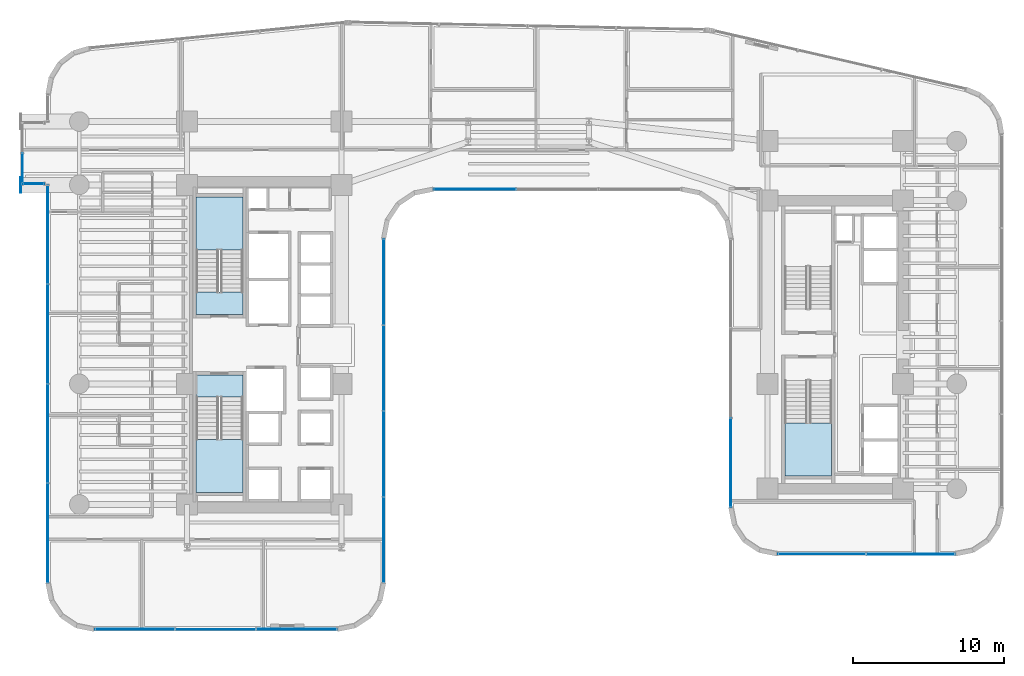
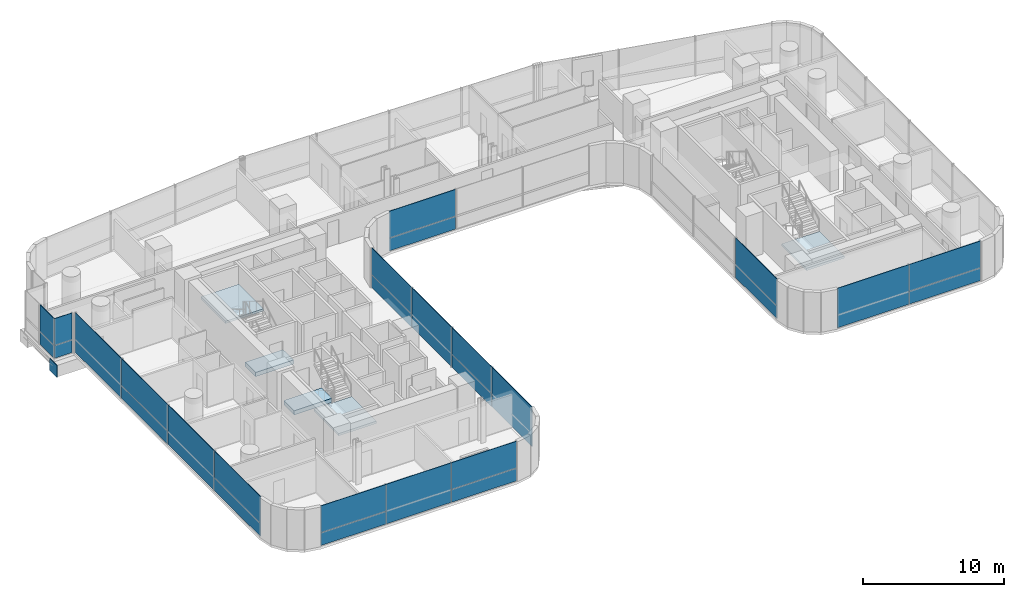
# One storey, part 29 of 41: 29 plates, 5 slabs, 11 elements without a shape of their own.
"""IFC4 building model written with IfcOpenShell, lengths in metres."""

import ifcopenshell
import ifcopenshell.guid

model = None  # the IFC model being written
_history = None  # IfcOwnerHistory: only IFC2X3 demands one
_inside = {}  # id of a spatial element -> (the spatial element, [elements in it])
_under = {}  # id of a project, library or spatial element -> (it, [spatial elements below it])
_declared = {}  # id of a project -> (the project, [libraries it declares])
_typed = {}  # id of a type object -> (the type object, [elements of that type])
_made_of = {}  # id of a material, layer set ... -> (it, [elements and type objects made of it])


def new_model(schema):
    """Start an empty IFC model of exactly this schema.

    Asked for "IFC4X3", IfcOpenShell would pick the latest addendum, in which some entities
    have other attributes; the version numbers below select the first issue.
    IFC2X3 requires an IfcOwnerHistory on every rooted entity: one is made here for all.
    """
    global model, _history
    if schema == "IFC4X3":
        model = ifcopenshell.file(schema_version=(4, 3, 0, 0))
    else:
        model = ifcopenshell.file(schema=schema)
    _inside.clear()
    _under.clear()
    _declared.clear()
    _typed.clear()
    _made_of.clear()
    _history = None
    if model.schema == "IFC2X3":
        org = make("IfcOrganization", Name="unknown")
        user = make(
            "IfcPersonAndOrganization",
            ThePerson=make("IfcPerson", FamilyName="unknown"),
            TheOrganization=org,
        )
        app = make(
            "IfcApplication",
            ApplicationDeveloper=org,
            Version="unknown",
            ApplicationFullName="unknown",
            ApplicationIdentifier="unknown",
        )
        _history = make(
            "IfcOwnerHistory",
            OwningUser=user,
            OwningApplication=app,
            ChangeAction="ADDED",
            CreationDate=0,
        )
    return model


def make(cls, **values):
    """One entity of the class cls with the attributes given. An attribute that is None is left unset."""
    return model.create_entity(
        cls, **{name: value for name, value in values.items() if value is not None}
    )


def rooted(cls, **values):
    """An entity with a GlobalId (a new one), such as an element, a storey or a relation."""
    return make(cls, GlobalId=ifcopenshell.guid.new(), OwnerHistory=_history, **values)


def si_unit(unit_type, name, prefix=None):
    """IfcSIUnit, for example si_unit("LENGTHUNIT", "METRE", prefix="MILLI")."""
    return make("IfcSIUnit", UnitType=unit_type, Prefix=prefix, Name=name)


def assignment(units):
    """IfcUnitAssignment: the units of a project."""
    return None if units is None else make("IfcUnitAssignment", Units=units)


def point(xyz):
    """IfcCartesianPoint."""
    return None if xyz is None else make("IfcCartesianPoint", Coordinates=xyz)


def direction(xyz):
    """IfcDirection."""
    return None if xyz is None else make("IfcDirection", DirectionRatios=xyz)


def frame(location, z_axis=None, x_axis=None):
    """IfcAxis2Placement3D, a coordinate frame: its origin and axes. An axis left out is left unset."""
    return make(
        "IfcAxis2Placement3D",
        Location=point(location),
        Axis=direction(z_axis),
        RefDirection=direction(x_axis),
    )


def frame_2d(location, x_axis=None):
    """IfcAxis2Placement2D, a coordinate frame in the plane: its origin and x axis."""
    return make(
        "IfcAxis2Placement2D", Location=point(location), RefDirection=direction(x_axis)
    )


def origin():
    """The frame at (0, 0, 0) with its axes left unset."""
    return frame((0.0, 0.0, 0.0))


def origin_2d():
    """The frame at (0, 0) in the plane with its x axis left unset."""
    return frame_2d((0.0, 0.0))


def place(relative_to, where):
    """IfcLocalPlacement: puts the frame where relative to a parent placement (None: the world)."""
    return make(
        "IfcLocalPlacement", PlacementRelTo=relative_to, RelativePlacement=where
    )


def context(
    kind, dimensions, precision=None, world=None, true_north=None, identifier=None
):
    """IfcGeometricRepresentationContext, for example the 3D "Model" context."""
    return make(
        "IfcGeometricRepresentationContext",
        ContextIdentifier=identifier,
        ContextType=kind,
        CoordinateSpaceDimension=dimensions,
        Precision=precision,
        WorldCoordinateSystem=world,
        TrueNorth=true_north,
    )


def subcontext(parent, identifier, kind, view, scale=None):
    """IfcGeometricRepresentationSubContext, for example "Body" below "Model"."""
    return make(
        "IfcGeometricRepresentationSubContext",
        ContextIdentifier=identifier,
        ContextType=kind,
        ParentContext=parent,
        TargetScale=scale,
        TargetView=view,
    )


def project(units=None, contexts=None):
    """IfcProject with its units and contexts."""
    return rooted(
        "IfcProject",
        Name="project",
        RepresentationContexts=contexts,
        UnitsInContext=assignment(units),
    )


def spatial(cls, under=None, at=None, **own):
    """A site, building, storey or space (cls), placed at a placement, below another one or the project."""
    s = rooted(cls, ObjectPlacement=at, **own)
    if under is not None:
        _under.setdefault(under.id(), (under, []))[1].append(s)
    return s


def polyline(points):
    """IfcPolyline through the points."""
    return make("IfcPolyline", Points=[point(p) for p in points])


def profile(cls, at=None, kind="AREA", **sizes):
    """A parametric profile (cls). Its sizes go by their IFC names, for example OverallWidth=200.0."""
    return make(cls, ProfileType=kind, Position=at, **sizes)


def rectangle(**sizes):
    """IfcRectangleProfileDef."""
    return profile("IfcRectangleProfileDef", **sizes)


def outline(outer, holes=None, kind="AREA"):
    """IfcArbitraryClosedProfileDef: a profile drawn as a closed curve; with holes, ...WithVoids."""
    if holes is None:
        return make("IfcArbitraryClosedProfileDef", ProfileType=kind, OuterCurve=outer)
    return make(
        "IfcArbitraryProfileDefWithVoids",
        ProfileType=kind,
        OuterCurve=outer,
        InnerCurves=holes,
    )


def extrude(swept, where, along, depth):
    """IfcExtrudedAreaSolid: the profile swept, set in the frame where, extruded along a direction by depth."""
    return make(
        "IfcExtrudedAreaSolid",
        SweptArea=swept,
        Position=where,
        ExtrudedDirection=direction(along),
        Depth=depth,
    )


def shape(context_of_items, identifier, shape_type, items):
    """IfcShapeRepresentation: the items that make up one representation, for example the "Body"."""
    return make(
        "IfcShapeRepresentation",
        ContextOfItems=context_of_items,
        RepresentationIdentifier=identifier,
        RepresentationType=shape_type,
        Items=items,
    )


def source(mapping_origin, context_of_items, identifier, shape_type, items):
    """IfcRepresentationMap: a shape defined once, which mapped items show again and again."""
    return make(
        "IfcRepresentationMap",
        MappingOrigin=mapping_origin,
        MappedRepresentation=shape(context_of_items, identifier, shape_type, items),
    )


def transform(
    local_origin,
    x_axis=None,
    y_axis=None,
    z_axis=None,
    scale=None,
    scale2=None,
    scale3=None,
    uniform=True,
):
    """IfcCartesianTransformationOperator3D, or its non-uniform kind. x_axis, y_axis, z_axis: its Axis1, 2, 3."""
    if uniform:
        return make(
            "IfcCartesianTransformationOperator3D",
            Axis1=direction(x_axis),
            Axis2=direction(y_axis),
            LocalOrigin=point(local_origin),
            Scale=scale,
            Axis3=direction(z_axis),
        )
    return make(
        "IfcCartesianTransformationOperator3DnonUniform",
        Axis1=direction(x_axis),
        Axis2=direction(y_axis),
        LocalOrigin=point(local_origin),
        Scale=scale,
        Axis3=direction(z_axis),
        Scale2=scale2,
        Scale3=scale3,
    )


def mapped(mapping_source, mapping_target):
    """IfcMappedItem: shows the shape of a source again, moved by a transform."""
    return make(
        "IfcMappedItem", MappingSource=mapping_source, MappingTarget=mapping_target
    )


def material(Name=None, Category=None):
    """IfcMaterial."""
    return make("IfcMaterial", Name=Name, Category=Category)


def layer(
    of_material, thickness, ventilated=None, Name=None, Category=None, Priority=None
):
    """IfcMaterialLayer: one layer of a wall or slab, of a material (None: an air gap)."""
    return make(
        "IfcMaterialLayer",
        Material=of_material,
        LayerThickness=thickness,
        IsVentilated=ventilated,
        Name=Name,
        Category=Category,
        Priority=Priority,
    )


def layer_set(layers, Name=None):
    """IfcMaterialLayerSet."""
    return make("IfcMaterialLayerSet", MaterialLayers=layers, LayerSetName=Name)


def made_of(thing, what):
    """Note that an element or type object is made of a material, layer set ...; save() writes the relation."""
    if what is not None:
        _made_of.setdefault(what.id(), (what, []))[1].append(thing)
    return thing


def type_object(cls, material=None, **own):
    """A type object (cls), such as IfcWallType, which elements share."""
    return made_of(rooted(cls, **own), material)


def element(
    cls,
    number,
    at=None,
    inside=None,
    cuts=None,
    type_object=None,
    material=None,
    context=None,
    identifier="Body",
    shape_type=None,
    held_by="IfcProductDefinitionShape",
    body=None,
    shapes=None,
    **own,
):
    """One element of the class cls, such as IfcWall. Its Tag is "e" and its number.

    at: its placement. inside: the storey or other place that contains it. cuts: it is an
    opening in that element (IfcRelVoidsElement). A single representation is given by context,
    identifier, shape_type and body (its items); several are given by shapes. held_by: the class
    of the entity that holds the representations. save() writes the other relations.
    """
    e = rooted(cls, Tag="e%d" % number, ObjectPlacement=at, **own)
    if body is not None:
        shapes = [shape(context, identifier, shape_type, body)]
    if shapes is not None:
        e.Representation = make(held_by, Representations=shapes)
    if inside is not None:
        _inside.setdefault(inside.id(), (inside, []))[1].append(e)
    if cuts is not None:
        rooted(
            "IfcRelVoidsElement", RelatingBuildingElement=cuts, RelatedOpeningElement=e
        )
    if type_object is not None:
        _typed.setdefault(type_object.id(), (type_object, []))[1].append(e)
    return made_of(e, material)


def aggregate(whole, parts):
    """IfcRelAggregates: a whole, such as a stair, and the parts it consists of."""
    return rooted("IfcRelAggregates", RelatingObject=whole, RelatedObjects=parts)


def save(model, path):
    """Write the relations noted so far, then the file.

    IfcRelAggregates (storeys below a building ...), IfcRelContainedInSpatialStructure (elements
    in a storey), IfcRelDefinesByType, IfcRelAssociatesMaterial and IfcRelDeclares: one each for
    every whole, place, type object, material and project.
    """
    for whole, parts in _under.values():
        aggregate(whole, parts)
    for where, things in _inside.values():
        rooted(
            "IfcRelContainedInSpatialStructure",
            RelatedElements=things,
            RelatingStructure=where,
        )
    for kind, things in _typed.values():
        rooted("IfcRelDefinesByType", RelatedObjects=things, RelatingType=kind)
    for what, things in _made_of.values():
        rooted("IfcRelAssociatesMaterial", RelatedObjects=things, RelatingMaterial=what)
    for by, libraries in _declared.values():
        rooted("IfcRelDeclares", RelatingContext=by, RelatedDefinitions=libraries)
    model.write(path)


model = new_model("IFC4")

# Units and contexts
model_context = context("Model", 3, precision=1e-05, world=origin(), true_north=direction((0.0, 1.0)))
body_context = subcontext(model_context, "Body", "Model", "MODEL_VIEW")
ifc_project = project(units=[si_unit("LENGTHUNIT", "METRE"), si_unit("AREAUNIT", "SQUARE_METRE"), si_unit("VOLUMEUNIT", "CUBIC_METRE"), si_unit("PLANEANGLEUNIT", "RADIAN"), si_unit("MASSUNIT", "GRAM", prefix="KILO")], contexts=[model_context])

# Site, building, storey
site_placement = place(None, origin())
site = spatial("IfcSite", under=ifc_project, at=site_placement, CompositionType="ELEMENT")
building_placement = place(site_placement, origin())
building = spatial("IfcBuilding", under=site, at=building_placement, Name="Valdorenza Pilgrim Sanctuary Tower", CompositionType="ELEMENT")
storey_placement = place(building_placement, frame((0.0, 0.0, 88.89990234375)))
storey = spatial("IfcBuildingStorey", under=building, at=storey_placement, Name="L22", CompositionType="ELEMENT", Elevation=88.89990234375)

# Stair, slab
ifc_material_1 = material(Name="Concrete C40/50", Category="concrete")
stair_type = type_object("IfcStairType", Name="STR-DOG-CORE", PredefinedType="HALF_TURN_STAIR", material=ifc_material_1)
stair_1_placement = place(storey_placement, origin())
stair_1 = element("IfcStair", 1, at=stair_1_placement, inside=storey, type_object=stair_type, Name="L22 ST-A1", PredefinedType="HALF_TURN_STAIR")
ifc_layer_1 = layer(ifc_material_1, 0.199951171875, Name="Concrete C40/50")
ifc_layer_set_1 = layer_set([ifc_layer_1], Name="Concrete C40/50")
slab_type_1 = type_object("IfcSlabType", Name="SLAB-STL-200", PredefinedType="LANDING", material=ifc_layer_set_1)
slab_1_placement = place(storey_placement, frame((0.0, 0.0, 1.650146484375)))
slab_1 = element("IfcSlab", 2, at=slab_1_placement, type_object=slab_type_1, Name="ST-A1 landing 1", PredefinedType="LANDING", context=body_context, shape_type="SweptSolid", body=[
    extrude(outline(polyline([(-18.93994140625, 6.280029296875), (-18.93994140625, 9.800048828125), (-22.050048828125, 9.800048828125), (-22.050048828125, 6.280029296875), (-18.93994140625, 6.280029296875)])), origin(), (0.0, 0.0, 1.0), 0.199951171875),
])
aggregate(stair_1, [slab_1])

stair_2_placement = place(storey_placement, origin())
stair_2 = element("IfcStair", 3, at=stair_2_placement, inside=storey, type_object=stair_type, Name="L22 ST-A2", PredefinedType="HALF_TURN_STAIR")
slab_2_placement = place(storey_placement, frame((0.0, 0.0, 1.650146484375)))
slab_2 = element("IfcSlab", 4, at=slab_2_placement, type_object=slab_type_1, Name="ST-A2 landing 1", PredefinedType="LANDING", context=body_context, shape_type="SweptSolid", body=[
    extrude(outline(polyline([(-22.050048828125, -6.280029296875), (-22.050048828125, -9.800048828125), (-18.93994140625, -9.800048828125), (-18.93994140625, -6.280029296875), (-22.050048828125, -6.280029296875)])), origin(), (0.0, 0.0, 1.0), 0.199951171875),
])
aggregate(stair_2, [slab_2])

stair_3_placement = place(storey_placement, origin())
stair_3 = element("IfcStair", 5, at=stair_3_placement, inside=storey, type_object=stair_type, Name="L22 ST-B2", PredefinedType="HALF_TURN_STAIR")
slab_3_placement = place(storey_placement, frame((0.0, 0.0, 1.650146484375)))
slab_3 = element("IfcSlab", 6, at=slab_3_placement, type_object=slab_type_1, Name="ST-B2 landing 1", PredefinedType="LANDING", context=body_context, shape_type="SweptSolid", body=[
    extrude(outline(polyline([(17.0, -5.179931640625), (17.0, -8.699951171875), (20.110107421875, -8.699951171875), (20.110107421875, -5.179931640625), (17.0, -5.179931640625)])), origin(), (0.0, 0.0, 1.0), 0.199951171875),
])
aggregate(stair_3, [slab_3])

# Slabs
ifc_material_2 = material(Name="Concrete C50/60", Category="concrete")
ifc_layer_2 = layer(ifc_material_2, 0.39990234375, Name="Concrete C50/60")
ifc_layer_set_2 = layer_set([ifc_layer_2], Name="Concrete C50/60")
slab_type_2 = type_object("IfcSlabType", Name="SLAB-TRF-400", PredefinedType="FLOOR", material=ifc_layer_set_2)
slab_4_placement = place(storey_placement, frame((0.0, 0.0, -0.35986328125)))
element("IfcSlab", 7, at=slab_4_placement, inside=storey, type_object=slab_type_2, Name="L22 ST-A1 Structural Stair Landing Bearing Slab", PredefinedType="FLOOR", context=body_context, shape_type="SweptSolid", body=[
    extrude(outline(polyline([(-22.050048828125, 2.0), (-18.93994140625, 2.0), (-18.93994140625, 3.485107421875), (-22.050048828125, 3.485107421875), (-22.050048828125, 2.0)])), origin(), (0.0, 0.0, 1.0), 0.35986328125),
])
slab_5_placement = place(storey_placement, frame((0.0, 0.0, -0.35986328125)))
element("IfcSlab", 8, at=slab_5_placement, inside=storey, type_object=slab_type_2, Name="L22 ST-A2 Structural Stair Landing Bearing Slab", PredefinedType="FLOOR", context=body_context, shape_type="SweptSolid", body=[
    extrude(outline(polyline([(-22.050048828125, -3.485107421875), (-18.93994140625, -3.485107421875), (-18.93994140625, -2.0), (-22.050048828125, -2.0), (-22.050048828125, -3.485107421875)])), origin(), (0.0, 0.0, 1.0), 0.35986328125),
])

# Plate
ifc_material_3 = material(Name="Steel ASTM A572 Grade 42", Category="steel")
ifc_layer_3 = layer(ifc_material_3, 0.06005859375, Name="Steel ASTM A572 Grade 42")
ifc_layer_set_3 = layer_set([ifc_layer_3], Name="Steel ASTM A572 Grade 42")
plate_type_1 = type_object("IfcPlateType", Name="PLT-CAP-60", PredefinedType="SHEET", material=ifc_layer_set_3)
shared_shape_1 = source(origin(), body_context, "Body", "SweptSolid", [
    extrude(rectangle(XDim=0.06005859375, YDim=1.0400390625, at=origin_2d()), origin(), (0.0, 0.0, 1.0), 1.0400390625),
])
plate_1_placement = place(storey_placement, frame((-33.679931640625, 10.60009765625, -1.260009765625), z_axis=(0.0, 0.0, 1.0), x_axis=(1.0, 0.0, 0.0)))
element("IfcPlate", 9, at=plate_1_placement, inside=storey, type_object=plate_type_1, Name="L22 BOX-WA-L22 Cantilever Tip End Cap S", PredefinedType="SHEET", context=body_context, shape_type="MappedRepresentation", body=[
    mapped(shared_shape_1, transform((0.0, 0.0, 0.0), x_axis=(1.0, 0.0, 0.0), y_axis=(0.0, 1.0, 0.0), z_axis=(0.0, 0.0, 1.0), scale=1.0)),
])

# Curtain wall, plates
ifc_material_4 = material(Name="Curtain-wall IGU glazing", Category="glass")
curtain_wall_type_1 = type_object("IfcCurtainWallType", Name="CW-SYS-03", PredefinedType="NOTDEFINED", material=ifc_material_4)
curtain_wall_1_placement = place(storey_placement, origin())
curtain_wall_1 = element("IfcCurtainWall", 10, at=curtain_wall_1_placement, inside=storey, type_object=curtain_wall_type_1, Name="L22 Curtain Wall CW-L22-1-26", PredefinedType="NOTDEFINED")
ifc_material_5 = material(Name="Honed travertine limestone", Category="masonry")
ifc_layer_4 = layer(ifc_material_5, 0.050048828125, Name="Honed travertine limestone")
ifc_layer_set_4 = layer_set([ifc_layer_4], Name="Honed travertine limestone")
plate_type_2 = type_object("IfcPlateType", Name="CW-SPN-TRV", PredefinedType="USERDEFINED", material=ifc_layer_set_4)
shared_shape_2 = source(origin(), body_context, "Body", "SweptSolid", [
    extrude(rectangle(XDim=5.869140625, YDim=0.06005859375, at=origin_2d()), origin(), (0.0, 0.0, 1.0), 1.10009765625),
])
plate_2_placement = place(storey_placement, frame((25.344482421875, -13.889892578125, 0.010009765625), z_axis=(0.0, 0.0, 1.0), x_axis=(-1.0, 0.0, 0.0)))
plate_2 = element("IfcPlate", 11, at=plate_2_placement, type_object=plate_type_2, Name="CW-L22-1-26 Travertine Spandrel 1", ObjectType="SPANDREL", PredefinedType="USERDEFINED", context=body_context, shape_type="MappedRepresentation", body=[
    mapped(shared_shape_2, transform((0.0, 0.0, 0.0), x_axis=(1.0, 0.0, 0.0), y_axis=(0.0, 1.0, 0.0), z_axis=(0.0, 0.0, 1.0), scale=1.0)),
])
ifc_material_6 = material(Name="Ceramic-fritted low-E IGU glazing", Category="glass")
ifc_layer_5 = layer(ifc_material_6, 0.035888671875, Name="Ceramic-fritted low-E IGU glazing")
ifc_layer_set_5 = layer_set([ifc_layer_5], Name="Ceramic-fritted low-E IGU glazing")
plate_type_3 = type_object("IfcPlateType", Name="CW-GLZ-IGU", PredefinedType="USERDEFINED", material=ifc_layer_set_5)
shared_shape_3 = source(origin(), body_context, "Body", "SweptSolid", [
    extrude(rectangle(XDim=5.869140625, YDim=0.050048828125, at=origin_2d()), origin(), (0.0, 0.0, 1.0), 2.320068359375),
])
plate_3_placement = place(storey_placement, frame((25.344482421875, -13.889892578125, 1.1298828125), z_axis=(0.0, 0.0, 1.0), x_axis=(-1.0, 0.0, 0.0)))
plate_3 = element("IfcPlate", 12, at=plate_3_placement, type_object=plate_type_3, Name="CW-L22-1-26 Facade Panel 1", ObjectType="GLAZING", PredefinedType="USERDEFINED", context=body_context, shape_type="MappedRepresentation", body=[
    mapped(shared_shape_3, transform((0.0, 0.0, 0.0), x_axis=(1.0, 0.0, 0.0), y_axis=(0.0, 1.0, 0.0), z_axis=(0.0, 0.0, 1.0), scale=1.0)),
])
shared_shape_4 = source(origin(), body_context, "Body", "SweptSolid", [
    extrude(rectangle(XDim=5.869140625, YDim=0.050048828125, at=origin_2d()), origin(), (0.0, 0.0, 1.0), 3.43994140625),
])
plate_4_placement = place(storey_placement, frame((19.455322265625, -13.889892578125, 0.010009765625), z_axis=(0.0, 0.0, 1.0), x_axis=(-1.0, 0.0, 0.0)))
plate_4 = element("IfcPlate", 13, at=plate_4_placement, type_object=plate_type_3, Name="CW-L22-1-26 Full-Height Facade Panel 2", ObjectType="GLAZING", PredefinedType="USERDEFINED", context=body_context, shape_type="MappedRepresentation", body=[
    mapped(shared_shape_4, transform((0.0, 0.0, 0.0), x_axis=(1.0, 0.0, 0.0), y_axis=(0.0, 1.0, 0.0), z_axis=(0.0, 0.0, 1.0), scale=1.0)),
])
aggregate(curtain_wall_1, [plate_2, plate_3, plate_4])

curtain_wall_2_placement = place(storey_placement, origin())
curtain_wall_2 = element("IfcCurtainWall", 14, at=curtain_wall_2_placement, inside=storey, type_object=curtain_wall_type_1, Name="L22 Curtain Wall CW-L22-1-31", PredefinedType="NOTDEFINED")
shared_shape_5 = source(origin(), body_context, "Body", "SweptSolid", [
    extrude(rectangle(XDim=5.913330078125, YDim=0.06005859375, at=origin_2d()), origin(), (0.0, 0.0, 1.0), 1.10009765625),
])
plate_5_placement = place(storey_placement, frame((13.409912109375, -7.822509765625, 0.010009765625), z_axis=(0.0, 0.0, 1.0), x_axis=(0.0, 1.0, 0.0)))
plate_5 = element("IfcPlate", 15, at=plate_5_placement, type_object=plate_type_2, Name="CW-L22-1-31 Travertine Spandrel 1", ObjectType="SPANDREL", PredefinedType="USERDEFINED", context=body_context, shape_type="MappedRepresentation", body=[
    mapped(shared_shape_5, transform((0.0, 0.0, 0.0), x_axis=(1.0, 0.0, 0.0), y_axis=(0.0, 1.0, 0.0), z_axis=(0.0, 0.0, 1.0), scale=1.0)),
])
shared_shape_6 = source(origin(), body_context, "Body", "SweptSolid", [
    extrude(rectangle(XDim=5.913330078125, YDim=0.050048828125, at=origin_2d()), origin(), (0.0, 0.0, 1.0), 2.320068359375),
])
plate_6_placement = place(storey_placement, frame((13.409912109375, -7.822509765625, 1.1298828125), z_axis=(0.0, 0.0, 1.0), x_axis=(0.0, 1.0, 0.0)))
plate_6 = element("IfcPlate", 16, at=plate_6_placement, type_object=plate_type_3, Name="CW-L22-1-31 Facade Panel 1", ObjectType="GLAZING", PredefinedType="USERDEFINED", context=body_context, shape_type="MappedRepresentation", body=[
    mapped(shared_shape_6, transform((0.0, 0.0, 0.0), x_axis=(1.0, 0.0, 0.0), y_axis=(0.0, 1.0, 0.0), z_axis=(0.0, 0.0, 1.0), scale=1.0)),
])
aggregate(curtain_wall_2, [plate_5, plate_6])

curtain_wall_type_2 = type_object("IfcCurtainWallType", Name="CW-SYS-02", PredefinedType="NOTDEFINED", material=ifc_material_4)
curtain_wall_3_placement = place(storey_placement, origin())
curtain_wall_3 = element("IfcCurtainWall", 17, at=curtain_wall_3_placement, inside=storey, type_object=curtain_wall_type_2, Name="L22 Curtain Wall CW-L22-1-36", PredefinedType="NOTDEFINED")
shared_shape_7 = source(origin(), body_context, "Body", "SweptSolid", [
    extrude(rectangle(XDim=5.453857421875, YDim=0.06005859375, at=origin_2d()), origin(), (0.0, 0.0, 1.0), 1.10009765625),
])
plate_7_placement = place(storey_placement, frame((-3.573974609375, 10.31005859375, 0.010009765625), z_axis=(0.0, 0.0, 1.0), x_axis=(-1.0, 0.0, 0.0)))
plate_7 = element("IfcPlate", 18, at=plate_7_placement, type_object=plate_type_2, Name="CW-L22-1-36 Travertine Spandrel 3", ObjectType="SPANDREL", PredefinedType="USERDEFINED", context=body_context, shape_type="MappedRepresentation", body=[
    mapped(shared_shape_7, transform((0.0, 0.0, 0.0), x_axis=(1.0, 0.0, 0.0), y_axis=(0.0, 1.0, 0.0), z_axis=(0.0, 0.0, 1.0), scale=1.0)),
])
shared_shape_8 = source(origin(), body_context, "Body", "SweptSolid", [
    extrude(rectangle(XDim=5.453857421875, YDim=0.050048828125, at=origin_2d()), origin(), (0.0, 0.0, 1.0), 2.320068359375),
])
plate_8_placement = place(storey_placement, frame((-3.573974609375, 10.31005859375, 1.1298828125), z_axis=(0.0, 0.0, 1.0), x_axis=(-1.0, 0.0, 0.0)))
plate_8 = element("IfcPlate", 19, at=plate_8_placement, type_object=plate_type_3, Name="CW-L22-1-36 Facade Panel 3", ObjectType="GLAZING", PredefinedType="USERDEFINED", context=body_context, shape_type="MappedRepresentation", body=[
    mapped(shared_shape_8, transform((0.0, 0.0, 0.0), x_axis=(1.0, 0.0, 0.0), y_axis=(0.0, 1.0, 0.0), z_axis=(0.0, 0.0, 1.0), scale=1.0)),
])
aggregate(curtain_wall_3, [plate_7, plate_8])

curtain_wall_4_placement = place(storey_placement, origin())
curtain_wall_4 = element("IfcCurtainWall", 20, at=curtain_wall_4_placement, inside=storey, type_object=curtain_wall_type_2, Name="L22 Curtain Wall CW-L22-1-41", PredefinedType="NOTDEFINED")
shared_shape_9 = source(origin(), body_context, "Body", "SweptSolid", [
    extrude(rectangle(XDim=5.679931640625, YDim=0.06005859375, at=origin_2d()), origin(), (0.0, 0.0, 1.0), 1.10009765625),
])
plate_9_placement = place(storey_placement, frame((-9.610107421875, 4.160888671875, 0.010009765625), z_axis=(0.0, 0.0, 1.0), x_axis=(0.0, -1.0, 0.0)))
plate_9 = element("IfcPlate", 21, at=plate_9_placement, type_object=plate_type_2, Name="CW-L22-1-41 Travertine Spandrel 1", ObjectType="SPANDREL", PredefinedType="USERDEFINED", context=body_context, shape_type="MappedRepresentation", body=[
    mapped(shared_shape_9, transform((0.0, 0.0, 0.0), x_axis=(1.0, 0.0, 0.0), y_axis=(0.0, 1.0, 0.0), z_axis=(0.0, 0.0, 1.0), scale=1.0)),
])
plate_10_placement = place(storey_placement, frame((-9.610107421875, -7.2392578125, 0.010009765625), z_axis=(0.0, 0.0, 1.0), x_axis=(0.0, -1.0, 0.0)))
plate_10 = element("IfcPlate", 22, at=plate_10_placement, type_object=plate_type_2, Name="CW-L22-1-41 Travertine Spandrel 3", ObjectType="SPANDREL", PredefinedType="USERDEFINED", context=body_context, shape_type="MappedRepresentation", body=[
    mapped(shared_shape_9, transform((0.0, 0.0, 0.0), x_axis=(1.0, 0.0, 0.0), y_axis=(0.0, 1.0, 0.0), z_axis=(0.0, 0.0, 1.0), scale=1.0)),
])
shared_shape_10 = source(origin(), body_context, "Body", "SweptSolid", [
    extrude(rectangle(XDim=5.679931640625, YDim=0.050048828125, at=origin_2d()), origin(), (0.0, 0.0, 1.0), 2.320068359375),
])
plate_11_placement = place(storey_placement, frame((-9.610107421875, 4.160888671875, 1.1298828125), z_axis=(0.0, 0.0, 1.0), x_axis=(0.0, -1.0, 0.0)))
plate_11 = element("IfcPlate", 23, at=plate_11_placement, type_object=plate_type_3, Name="CW-L22-1-41 Facade Panel 1", ObjectType="GLAZING", PredefinedType="USERDEFINED", context=body_context, shape_type="MappedRepresentation", body=[
    mapped(shared_shape_10, transform((0.0, 0.0, 0.0), x_axis=(1.0, 0.0, 0.0), y_axis=(0.0, 1.0, 0.0), z_axis=(0.0, 0.0, 1.0), scale=1.0)),
])
plate_12_placement = place(storey_placement, frame((-9.610107421875, -7.2392578125, 1.1298828125), z_axis=(0.0, 0.0, 1.0), x_axis=(0.0, -1.0, 0.0)))
plate_12 = element("IfcPlate", 24, at=plate_12_placement, type_object=plate_type_3, Name="CW-L22-1-41 Facade Panel 3", ObjectType="GLAZING", PredefinedType="USERDEFINED", context=body_context, shape_type="MappedRepresentation", body=[
    mapped(shared_shape_10, transform((0.0, 0.0, 0.0), x_axis=(1.0, 0.0, 0.0), y_axis=(0.0, 1.0, 0.0), z_axis=(0.0, 0.0, 1.0), scale=1.0)),
])
shared_shape_11 = source(origin(), body_context, "Body", "SweptSolid", [
    extrude(rectangle(XDim=5.679931640625, YDim=0.050048828125, at=origin_2d()), origin(), (0.0, 0.0, 1.0), 3.43994140625),
])
plate_13_placement = place(storey_placement, frame((-9.610107421875, -1.539306640625, 0.010009765625), z_axis=(0.0, 0.0, 1.0), x_axis=(0.0, -1.0, 0.0)))
plate_13 = element("IfcPlate", 25, at=plate_13_placement, type_object=plate_type_3, Name="CW-L22-1-41 Full-Height Facade Panel 2", ObjectType="GLAZING", PredefinedType="USERDEFINED", context=body_context, shape_type="MappedRepresentation", body=[
    mapped(shared_shape_11, transform((0.0, 0.0, 0.0), x_axis=(1.0, 0.0, 0.0), y_axis=(0.0, 1.0, 0.0), z_axis=(0.0, 0.0, 1.0), scale=1.0)),
])
plate_14_placement = place(storey_placement, frame((-9.610107421875, -12.939208984375, 0.010009765625), z_axis=(0.0, 0.0, 1.0), x_axis=(0.0, -1.0, 0.0)))
plate_14 = element("IfcPlate", 26, at=plate_14_placement, type_object=plate_type_3, Name="CW-L22-1-41 Full-Height Facade Panel 4", ObjectType="GLAZING", PredefinedType="USERDEFINED", context=body_context, shape_type="MappedRepresentation", body=[
    mapped(shared_shape_11, transform((0.0, 0.0, 0.0), x_axis=(1.0, 0.0, 0.0), y_axis=(0.0, 1.0, 0.0), z_axis=(0.0, 0.0, 1.0), scale=1.0)),
])
aggregate(curtain_wall_4, [plate_9, plate_11, plate_13, plate_10, plate_12, plate_14])

curtain_wall_5_placement = place(storey_placement, origin())
curtain_wall_5 = element("IfcCurtainWall", 27, at=curtain_wall_5_placement, inside=storey, type_object=curtain_wall_type_2, Name="L22 Curtain Wall CW-L22-1-46", PredefinedType="NOTDEFINED")
shared_shape_12 = source(origin(), body_context, "Body", "SweptSolid", [
    extrude(rectangle(XDim=5.339599609375, YDim=0.06005859375, at=origin_2d()), origin(), (0.0, 0.0, 1.0), 1.10009765625),
])
plate_15_placement = place(storey_placement, frame((-15.390380859375, -18.889892578125, 0.010009765625), z_axis=(0.0, 0.0, 1.0), x_axis=(-1.0, 0.0, 0.0)))
plate_15 = element("IfcPlate", 28, at=plate_15_placement, type_object=plate_type_2, Name="CW-L22-1-46 Travertine Spandrel 1", ObjectType="SPANDREL", PredefinedType="USERDEFINED", context=body_context, shape_type="MappedRepresentation", body=[
    mapped(shared_shape_12, transform((0.0, 0.0, 0.0), x_axis=(1.0, 0.0, 0.0), y_axis=(0.0, 1.0, 0.0), z_axis=(0.0, 0.0, 1.0), scale=1.0)),
])
plate_16_placement = place(storey_placement, frame((-26.109619140625, -18.889892578125, 0.010009765625), z_axis=(0.0, 0.0, 1.0), x_axis=(-1.0, 0.0, 0.0)))
plate_16 = element("IfcPlate", 29, at=plate_16_placement, type_object=plate_type_2, Name="CW-L22-1-46 Travertine Spandrel 3", ObjectType="SPANDREL", PredefinedType="USERDEFINED", context=body_context, shape_type="MappedRepresentation", body=[
    mapped(shared_shape_12, transform((0.0, 0.0, 0.0), x_axis=(1.0, 0.0, 0.0), y_axis=(0.0, 1.0, 0.0), z_axis=(0.0, 0.0, 1.0), scale=1.0)),
])
shared_shape_13 = source(origin(), body_context, "Body", "SweptSolid", [
    extrude(rectangle(XDim=5.339599609375, YDim=0.050048828125, at=origin_2d()), origin(), (0.0, 0.0, 1.0), 2.320068359375),
])
plate_17_placement = place(storey_placement, frame((-15.390380859375, -18.889892578125, 1.1298828125), z_axis=(0.0, 0.0, 1.0), x_axis=(-1.0, 0.0, 0.0)))
plate_17 = element("IfcPlate", 30, at=plate_17_placement, type_object=plate_type_3, Name="CW-L22-1-46 Facade Panel 1", ObjectType="GLAZING", PredefinedType="USERDEFINED", context=body_context, shape_type="MappedRepresentation", body=[
    mapped(shared_shape_13, transform((0.0, 0.0, 0.0), x_axis=(1.0, 0.0, 0.0), y_axis=(0.0, 1.0, 0.0), z_axis=(0.0, 0.0, 1.0), scale=1.0)),
])
plate_18_placement = place(storey_placement, frame((-26.109619140625, -18.889892578125, 1.1298828125), z_axis=(0.0, 0.0, 1.0), x_axis=(-1.0, 0.0, 0.0)))
plate_18 = element("IfcPlate", 31, at=plate_18_placement, type_object=plate_type_3, Name="CW-L22-1-46 Facade Panel 3", ObjectType="GLAZING", PredefinedType="USERDEFINED", context=body_context, shape_type="MappedRepresentation", body=[
    mapped(shared_shape_13, transform((0.0, 0.0, 0.0), x_axis=(1.0, 0.0, 0.0), y_axis=(0.0, 1.0, 0.0), z_axis=(0.0, 0.0, 1.0), scale=1.0)),
])
shared_shape_14 = source(origin(), body_context, "Body", "SweptSolid", [
    extrude(rectangle(XDim=5.339599609375, YDim=0.050048828125, at=origin_2d()), origin(), (0.0, 0.0, 1.0), 3.43994140625),
])
plate_19_placement = place(storey_placement, frame((-20.75, -18.889892578125, 0.010009765625), z_axis=(0.0, 0.0, 1.0), x_axis=(-1.0, 0.0, 0.0)))
plate_19 = element("IfcPlate", 32, at=plate_19_placement, type_object=plate_type_3, Name="CW-L22-1-46 Full-Height Facade Panel 2", ObjectType="GLAZING", PredefinedType="USERDEFINED", context=body_context, shape_type="MappedRepresentation", body=[
    mapped(shared_shape_14, transform((0.0, 0.0, 0.0), x_axis=(1.0, 0.0, 0.0), y_axis=(0.0, 1.0, 0.0), z_axis=(0.0, 0.0, 1.0), scale=1.0)),
])
aggregate(curtain_wall_5, [plate_15, plate_17, plate_19, plate_16, plate_18])

curtain_wall_6_placement = place(storey_placement, origin())
curtain_wall_6 = element("IfcCurtainWall", 33, at=curtain_wall_6_placement, inside=storey, type_object=curtain_wall_type_2, Name="L22 Curtain Wall CW-L22-BOX-WA-L22-S", PredefinedType="NOTDEFINED")
shared_shape_15 = source(origin(), body_context, "Body", "SweptSolid", [
    extrude(rectangle(XDim=1.43994140625, YDim=0.06005859375, at=origin_2d()), origin(), (0.0, 0.0, 1.0), 1.10009765625),
])
plate_20_placement = place(storey_placement, frame((-32.840087890625, 10.679931640625, 0.010009765625), z_axis=(0.0, 0.0, 1.0), x_axis=(-1.0, 0.0, 0.0)))
plate_20 = element("IfcPlate", 34, at=plate_20_placement, type_object=plate_type_2, Name="CW-L22-BOX-WA-L22-S Travertine Spandrel 1", ObjectType="SPANDREL", PredefinedType="USERDEFINED", context=body_context, shape_type="MappedRepresentation", body=[
    mapped(shared_shape_15, transform((0.0, 0.0, 0.0), x_axis=(1.0, 0.0, 0.0), y_axis=(0.0, 1.0, 0.0), z_axis=(0.0, 0.0, 1.0), scale=1.0)),
])
shared_shape_16 = source(origin(), body_context, "Body", "SweptSolid", [
    extrude(rectangle(XDim=1.43994140625, YDim=0.050048828125, at=origin_2d()), origin(), (0.0, 0.0, 1.0), 2.320068359375),
])
plate_21_placement = place(storey_placement, frame((-32.840087890625, 10.679931640625, 1.1298828125), z_axis=(0.0, 0.0, 1.0), x_axis=(-1.0, 0.0, 0.0)))
plate_21 = element("IfcPlate", 35, at=plate_21_placement, type_object=plate_type_3, Name="CW-L22-BOX-WA-L22-S Facade Panel 1", ObjectType="GLAZING", PredefinedType="USERDEFINED", context=body_context, shape_type="MappedRepresentation", body=[
    mapped(shared_shape_16, transform((0.0, 0.0, 0.0), x_axis=(1.0, 0.0, 0.0), y_axis=(0.0, 1.0, 0.0), z_axis=(0.0, 0.0, 1.0), scale=1.0)),
])
aggregate(curtain_wall_6, [plate_20, plate_21])

curtain_wall_7_placement = place(storey_placement, origin())
curtain_wall_7 = element("IfcCurtainWall", 36, at=curtain_wall_7_placement, inside=storey, type_object=curtain_wall_type_2, Name="L22 Curtain Wall CW-L22-1-1S1", PredefinedType="NOTDEFINED")
shared_shape_17 = source(origin(), body_context, "Body", "SweptSolid", [
    extrude(rectangle(XDim=6.577392578125, YDim=0.06005859375, at=origin_2d()), origin(), (0.0, 0.0, 1.0), 1.10009765625),
])
plate_22_placement = place(storey_placement, frame((-31.889892578125, -12.490478515625, 0.010009765625), z_axis=(0.0, 0.0, 1.0), x_axis=(0.0, 1.0, 0.0)))
plate_22 = element("IfcPlate", 37, at=plate_22_placement, type_object=plate_type_2, Name="CW-L22-1-1S1 Travertine Spandrel 1", ObjectType="SPANDREL", PredefinedType="USERDEFINED", context=body_context, shape_type="MappedRepresentation", body=[
    mapped(shared_shape_17, transform((0.0, 0.0, 0.0), x_axis=(1.0, 0.0, 0.0), y_axis=(0.0, 1.0, 0.0), z_axis=(0.0, 0.0, 1.0), scale=1.0)),
])
plate_23_placement = place(storey_placement, frame((-31.889892578125, 0.7041015625, 0.010009765625), z_axis=(0.0, 0.0, 1.0), x_axis=(0.0, 1.0, 0.0)))
plate_23 = element("IfcPlate", 38, at=plate_23_placement, type_object=plate_type_2, Name="CW-L22-1-1S1 Travertine Spandrel 3", ObjectType="SPANDREL", PredefinedType="USERDEFINED", context=body_context, shape_type="MappedRepresentation", body=[
    mapped(shared_shape_17, transform((0.0, 0.0, 0.0), x_axis=(1.0, 0.0, 0.0), y_axis=(0.0, 1.0, 0.0), z_axis=(0.0, 0.0, 1.0), scale=1.0)),
])
shared_shape_18 = source(origin(), body_context, "Body", "SweptSolid", [
    extrude(rectangle(XDim=6.577392578125, YDim=0.050048828125, at=origin_2d()), origin(), (0.0, 0.0, 1.0), 2.320068359375),
])
plate_24_placement = place(storey_placement, frame((-31.889892578125, -12.490478515625, 1.1298828125), z_axis=(0.0, 0.0, 1.0), x_axis=(0.0, 1.0, 0.0)))
plate_24 = element("IfcPlate", 39, at=plate_24_placement, type_object=plate_type_3, Name="CW-L22-1-1S1 Facade Panel 1", ObjectType="GLAZING", PredefinedType="USERDEFINED", context=body_context, shape_type="MappedRepresentation", body=[
    mapped(shared_shape_18, transform((0.0, 0.0, 0.0), x_axis=(1.0, 0.0, 0.0), y_axis=(0.0, 1.0, 0.0), z_axis=(0.0, 0.0, 1.0), scale=1.0)),
])
plate_25_placement = place(storey_placement, frame((-31.889892578125, 0.7041015625, 1.1298828125), z_axis=(0.0, 0.0, 1.0), x_axis=(0.0, 1.0, 0.0)))
plate_25 = element("IfcPlate", 40, at=plate_25_placement, type_object=plate_type_3, Name="CW-L22-1-1S1 Facade Panel 3", ObjectType="GLAZING", PredefinedType="USERDEFINED", context=body_context, shape_type="MappedRepresentation", body=[
    mapped(shared_shape_18, transform((0.0, 0.0, 0.0), x_axis=(1.0, 0.0, 0.0), y_axis=(0.0, 1.0, 0.0), z_axis=(0.0, 0.0, 1.0), scale=1.0)),
])
shared_shape_19 = source(origin(), body_context, "Body", "SweptSolid", [
    extrude(rectangle(XDim=6.577392578125, YDim=0.050048828125, at=origin_2d()), origin(), (0.0, 0.0, 1.0), 3.43994140625),
])
plate_26_placement = place(storey_placement, frame((-31.889892578125, -5.893310546875, 0.010009765625), z_axis=(0.0, 0.0, 1.0), x_axis=(0.0, 1.0, 0.0)))
plate_26 = element("IfcPlate", 41, at=plate_26_placement, type_object=plate_type_3, Name="CW-L22-1-1S1 Full-Height Facade Panel 2", ObjectType="GLAZING", PredefinedType="USERDEFINED", context=body_context, shape_type="MappedRepresentation", body=[
    mapped(shared_shape_19, transform((0.0, 0.0, 0.0), x_axis=(1.0, 0.0, 0.0), y_axis=(0.0, 1.0, 0.0), z_axis=(0.0, 0.0, 1.0), scale=1.0)),
])
plate_27_placement = place(storey_placement, frame((-31.889892578125, 7.301513671875, 0.010009765625), z_axis=(0.0, 0.0, 1.0), x_axis=(0.0, 1.0, 0.0)))
plate_27 = element("IfcPlate", 42, at=plate_27_placement, type_object=plate_type_3, Name="CW-L22-1-1S1 Full-Height Facade Panel 4", ObjectType="GLAZING", PredefinedType="USERDEFINED", context=body_context, shape_type="MappedRepresentation", body=[
    mapped(shared_shape_19, transform((0.0, 0.0, 0.0), x_axis=(1.0, 0.0, 0.0), y_axis=(0.0, 1.0, 0.0), z_axis=(0.0, 0.0, 1.0), scale=1.0)),
])
aggregate(curtain_wall_7, [plate_22, plate_24, plate_26, plate_23, plate_25, plate_27])

curtain_wall_8_placement = place(storey_placement, origin())
curtain_wall_8 = element("IfcCurtainWall", 43, at=curtain_wall_8_placement, inside=storey, type_object=curtain_wall_type_2, Name="L22 Curtain Wall CW-L22-BOX-WA-L22-F", PredefinedType="NOTDEFINED")
shared_shape_20 = source(origin(), body_context, "Body", "SweptSolid", [
    extrude(rectangle(XDim=2.0, YDim=0.06005859375, at=origin_2d()), origin(), (0.0, 0.0, 1.0), 1.10009765625),
])
plate_28_placement = place(storey_placement, frame((-33.570068359375, 11.68994140625, 0.010009765625), z_axis=(0.0, 0.0, 1.0), x_axis=(0.0, 1.0, 0.0)))
plate_28 = element("IfcPlate", 44, at=plate_28_placement, type_object=plate_type_2, Name="CW-L22-BOX-WA-L22-F Travertine Spandrel 1", ObjectType="SPANDREL", PredefinedType="USERDEFINED", context=body_context, shape_type="MappedRepresentation", body=[
    mapped(shared_shape_20, transform((0.0, 0.0, 0.0), x_axis=(1.0, 0.0, 0.0), y_axis=(0.0, 1.0, 0.0), z_axis=(0.0, 0.0, 1.0), scale=1.0)),
])
shared_shape_21 = source(origin(), body_context, "Body", "SweptSolid", [
    extrude(rectangle(XDim=2.0, YDim=0.050048828125, at=origin_2d()), origin(), (0.0, 0.0, 1.0), 2.320068359375),
])
plate_29_placement = place(storey_placement, frame((-33.570068359375, 11.68994140625, 1.1298828125), z_axis=(0.0, 0.0, 1.0), x_axis=(0.0, 1.0, 0.0)))
plate_29 = element("IfcPlate", 45, at=plate_29_placement, type_object=plate_type_3, Name="CW-L22-BOX-WA-L22-F Facade Panel 1", ObjectType="GLAZING", PredefinedType="USERDEFINED", context=body_context, shape_type="MappedRepresentation", body=[
    mapped(shared_shape_21, transform((0.0, 0.0, 0.0), x_axis=(1.0, 0.0, 0.0), y_axis=(0.0, 1.0, 0.0), z_axis=(0.0, 0.0, 1.0), scale=1.0)),
])
aggregate(curtain_wall_8, [plate_28, plate_29])

save(model, "model.ifc")
